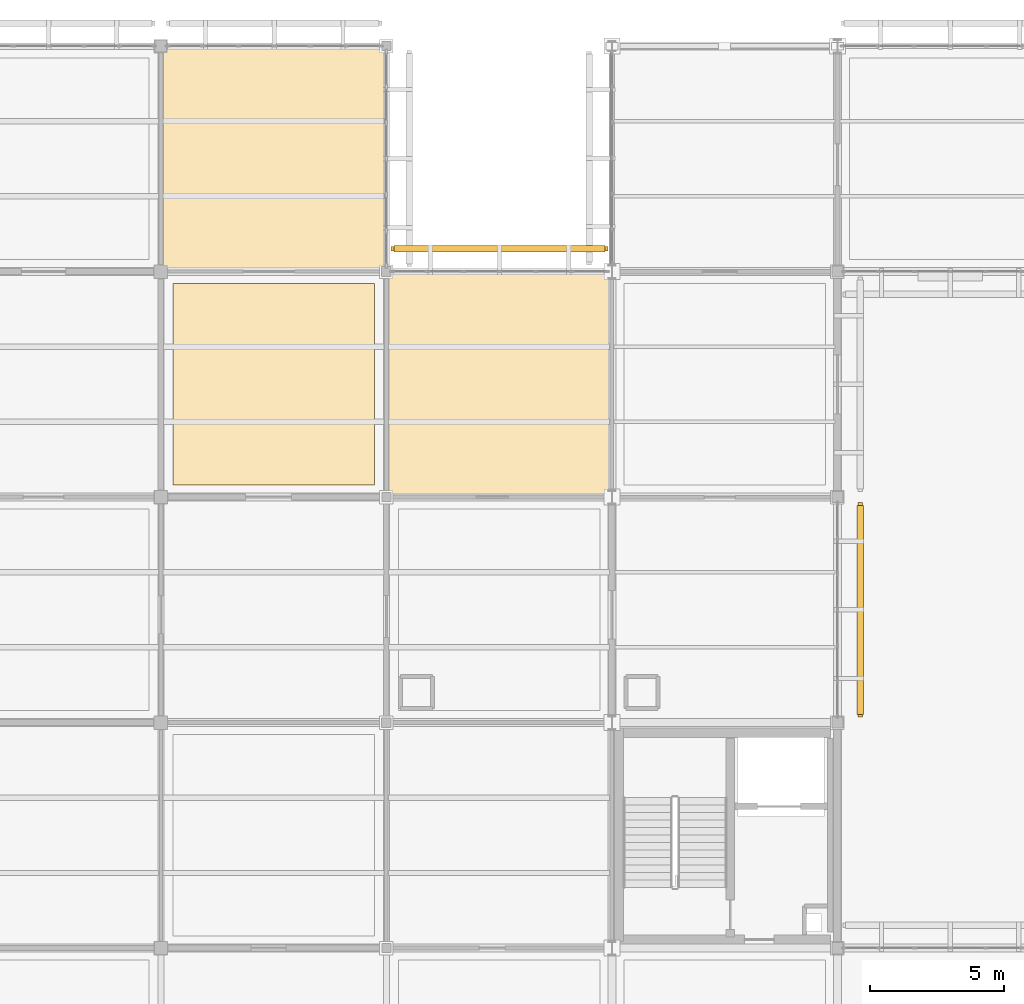
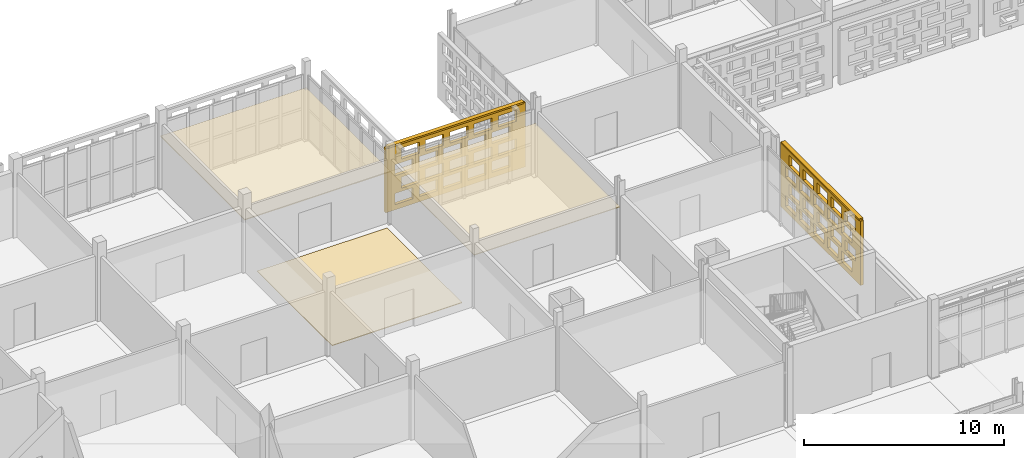
# One storey, part 166 of 203: 5 coverings, 2 shading devices, 40 openings.
"""IFC4 building model written with IfcOpenShell, lengths in metres."""

from ifc_helpers import new_model, si_unit, direction, frame, frame_2d, origin, origin_2d, place, context, subcontext, project, spatial, rectangle, extrude, material, layer, layer_set, type_object, element, save


model = new_model("IFC4")

# Units and contexts
model_context = context("Model", 3, precision=1e-05, world=origin(), true_north=direction((0.0, 1.0)))
body_context = subcontext(model_context, "Body", "Model", "MODEL_VIEW")
ifc_project = project(units=[si_unit("LENGTHUNIT", "METRE"), si_unit("AREAUNIT", "SQUARE_METRE"), si_unit("VOLUMEUNIT", "CUBIC_METRE"), si_unit("PLANEANGLEUNIT", "RADIAN"), si_unit("MASSUNIT", "GRAM", prefix="KILO")], contexts=[model_context])

# Site, building, storey
site_placement = place(None, origin())
site = spatial("IfcSite", under=ifc_project, at=site_placement, CompositionType="ELEMENT")
building_placement = place(site_placement, origin())
building = spatial("IfcBuilding", under=site, at=building_placement, Name="Varnapada Polytechnic", CompositionType="ELEMENT")
storey_placement = place(building_placement, frame((0.0, 0.0, 4.800048828125)))
storey = spatial("IfcBuildingStorey", under=building, at=storey_placement, Name="L01", CompositionType="ELEMENT", Elevation=4.800048828125)

# Coverings
ifc_material_1 = material(Name="Acoustic Rubber Seminar Flooring")
ifc_layer_1 = layer(ifc_material_1, 0.0400390625)
ifc_layer_set_1 = layer_set([ifc_layer_1], Name="Acoustic Rubber Seminar Flooring")
covering_type_1 = type_object("IfcCoveringType", Name="Floor Finish FLR-06", PredefinedType="FLOORING", material=ifc_layer_set_1)
covering_1_placement = place(storey_placement, frame((37.800048828125, 113.39990234375, 0.0), z_axis=(0.0, 0.0, 1.0), x_axis=(1.0, 0.0, 0.0)))
element("IfcCovering", 1, at=covering_1_placement, inside=storey, type_object=covering_type_1, Name="L01 floor finish panel (5,14)", PredefinedType="FLOORING", context=body_context, shape_type="SweptSolid", body=[
    extrude(rectangle(XDim=7.5, YDim=7.5, at=origin_2d()), origin(), (0.0, 0.0, 1.0), 0.0400390625),
])
ifc_material_2 = material(Name="Mineral Fibre Acoustic Ceiling Tile")
ifc_layer_2 = layer(ifc_material_2, 0.0400390625)
ifc_layer_set_2 = layer_set([ifc_layer_2], Name="Mineral Fibre Acoustic Ceiling Tile")
covering_type_2 = type_object("IfcCoveringType", Name="Suspended Ceiling CLG-01", PredefinedType="CEILING", material=ifc_layer_set_2)
covering_2_placement = place(storey_placement, frame((46.199951171875, 113.39990234375, 3.030029296875), z_axis=(0.0, 0.0, 1.0), x_axis=(1.0, 0.0, 0.0)))
element("IfcCovering", 2, at=covering_2_placement, inside=storey, type_object=covering_type_2, Name="L01 suspended acoustic ceiling (6,14)", PredefinedType="CEILING", context=body_context, shape_type="SweptSolid", body=[
    extrude(rectangle(XDim=8.419921875, YDim=8.419921875, at=origin_2d()), origin(), (0.0, 0.0, 1.0), 0.0400390625),
])
ifc_material_3 = material(Name="Slatted Merbau Timber Acoustic Ceiling", Category="wood")
ifc_layer_3 = layer(ifc_material_3, 0.054931640625)
ifc_layer_set_3 = layer_set([ifc_layer_3], Name="Slatted Merbau Timber Acoustic Ceiling")
covering_type_3 = type_object("IfcCoveringType", Name="Suspended Ceiling CLG-05", PredefinedType="CEILING", material=ifc_layer_set_3)
covering_3_placement = place(storey_placement, frame((37.800048828125, 121.800048828125, 3.0224609375), z_axis=(0.0, 0.0, 1.0), x_axis=(1.0, 0.0, 0.0)))
element("IfcCovering", 3, at=covering_3_placement, inside=storey, type_object=covering_type_3, Name="L01 suspended acoustic ceiling (5,15)", PredefinedType="CEILING", context=body_context, shape_type="SweptSolid", body=[
    extrude(rectangle(XDim=8.419921875, YDim=8.419921875, at=origin_2d()), origin(), (0.0, 0.0, 1.0), 0.054931640625),
])

# Covering, openings
ifc_material_4 = material(Name="Earth-toned architectural terracotta screen block", Category="masonry")
ifc_layer_4 = layer(ifc_material_4, 0.1201171875)
ifc_layer_set_4 = layer_set([ifc_layer_4], Name="Earth-toned architectural terracotta screen block")
covering_type_4 = type_object("IfcCoveringType", Name="Terracotta Screen Cladding CLD-01", PredefinedType="CLADDING", material=ifc_layer_set_4)
covering_4_placement = place(storey_placement, frame((42.179931640625, 118.449951171875, 0.0), z_axis=(0.0, 0.0, 1.0), x_axis=(1.0, 0.0, 0.0)))
covering_4 = element("IfcCovering", 4, at=covering_4_placement, inside=storey, type_object=covering_type_4, Name="L01 perforated terracotta block screen (42)", PredefinedType="CLADDING", context=body_context, shape_type="SweptSolid", body=[
    extrude(rectangle(XDim=8.070068359375, YDim=0.179931640625, at=frame_2d((4.03515625, 0.0))), origin(), (0.0, 0.0, 1.0), 3.919921875),
])
opening_1_placement = place(covering_4_placement, frame((0.534912109375, 0.0, 0.313720703125)))
element("IfcOpeningElement", 5, at=opening_1_placement, cuts=covering_4, Name="Screen perforation TBS-L01-041.1", PredefinedType="OPENING", context=body_context, shape_type="SweptSolid", body=[
    extrude(rectangle(XDim=1.0400390625, YDim=0.679931640625, at=frame_2d((0.52001953125, 0.33984375))), frame((0.0, 0.099853515625, 0.0), z_axis=(0.0, -1.0, 0.0), x_axis=(1.0, 0.0, 0.0)), (0.0, 0.0, 1.0), 0.199951171875),
])
opening_2_placement = place(covering_4_placement, frame((1.93505859375, 0.0, 0.313720703125)))
element("IfcOpeningElement", 6, at=opening_2_placement, cuts=covering_4, Name="Screen perforation TBS-L01-041.2", PredefinedType="OPENING", context=body_context, shape_type="SweptSolid", body=[
    extrude(rectangle(XDim=1.0400390625, YDim=0.679931640625, at=frame_2d((0.52001953125, 0.33984375))), frame((0.0, 0.099853515625, 0.0), z_axis=(0.0, -1.0, 0.0), x_axis=(1.0, 0.0, 0.0)), (0.0, 0.0, 1.0), 0.199951171875),
])
opening_3_placement = place(covering_4_placement, frame((3.3349609375, 0.0, 0.313720703125)))
element("IfcOpeningElement", 7, at=opening_3_placement, cuts=covering_4, Name="Screen perforation TBS-L01-041.3", PredefinedType="OPENING", context=body_context, shape_type="SweptSolid", body=[
    extrude(rectangle(XDim=1.0400390625, YDim=0.679931640625, at=frame_2d((0.52001953125, 0.33984375))), frame((0.0, 0.099853515625, 0.0), z_axis=(0.0, -1.0, 0.0), x_axis=(1.0, 0.0, 0.0)), (0.0, 0.0, 1.0), 0.199951171875),
])
opening_4_placement = place(covering_4_placement, frame((4.735107421875, 0.0, 0.313720703125)))
element("IfcOpeningElement", 8, at=opening_4_placement, cuts=covering_4, Name="Screen perforation TBS-L01-041.4", PredefinedType="OPENING", context=body_context, shape_type="SweptSolid", body=[
    extrude(rectangle(XDim=1.0400390625, YDim=0.679931640625, at=frame_2d((0.52001953125, 0.33984375))), frame((0.0, 0.099853515625, 0.0), z_axis=(0.0, -1.0, 0.0), x_axis=(1.0, 0.0, 0.0)), (0.0, 0.0, 1.0), 0.199951171875),
])
opening_5_placement = place(covering_4_placement, frame((6.135009765625, 0.0, 0.313720703125)))
element("IfcOpeningElement", 9, at=opening_5_placement, cuts=covering_4, Name="Screen perforation TBS-L01-041.5", PredefinedType="OPENING", context=body_context, shape_type="SweptSolid", body=[
    extrude(rectangle(XDim=1.0400390625, YDim=0.679931640625, at=frame_2d((0.52001953125, 0.33984375))), frame((0.0, 0.099853515625, 0.0), z_axis=(0.0, -1.0, 0.0), x_axis=(1.0, 0.0, 0.0)), (0.0, 0.0, 1.0), 0.199951171875),
])
opening_6_placement = place(covering_4_placement, frame((0.89501953125, 0.0, 1.195556640625)))
element("IfcOpeningElement", 10, at=opening_6_placement, cuts=covering_4, Name="Screen perforation TBS-L01-041.6", PredefinedType="OPENING", context=body_context, shape_type="SweptSolid", body=[
    extrude(rectangle(XDim=1.0400390625, YDim=0.679931640625, at=frame_2d((0.52001953125, 0.33984375))), frame((0.0, 0.099853515625, 0.0), z_axis=(0.0, -1.0, 0.0), x_axis=(1.0, 0.0, 0.0)), (0.0, 0.0, 1.0), 0.199951171875),
])
opening_7_placement = place(covering_4_placement, frame((2.294921875, 0.0, 1.195556640625)))
element("IfcOpeningElement", 11, at=opening_7_placement, cuts=covering_4, Name="Screen perforation TBS-L01-041.7", PredefinedType="OPENING", context=body_context, shape_type="SweptSolid", body=[
    extrude(rectangle(XDim=1.0400390625, YDim=0.679931640625, at=frame_2d((0.52001953125, 0.33984375))), frame((0.0, 0.099853515625, 0.0), z_axis=(0.0, -1.0, 0.0), x_axis=(1.0, 0.0, 0.0)), (0.0, 0.0, 1.0), 0.199951171875),
])
opening_8_placement = place(covering_4_placement, frame((3.695068359375, 0.0, 1.195556640625)))
element("IfcOpeningElement", 12, at=opening_8_placement, cuts=covering_4, Name="Screen perforation TBS-L01-041.8", PredefinedType="OPENING", context=body_context, shape_type="SweptSolid", body=[
    extrude(rectangle(XDim=1.0400390625, YDim=0.679931640625, at=frame_2d((0.52001953125, 0.33984375))), frame((0.0, 0.099853515625, 0.0), z_axis=(0.0, -1.0, 0.0), x_axis=(1.0, 0.0, 0.0)), (0.0, 0.0, 1.0), 0.199951171875),
])
opening_9_placement = place(covering_4_placement, frame((5.094970703125, 0.0, 1.195556640625)))
element("IfcOpeningElement", 13, at=opening_9_placement, cuts=covering_4, Name="Screen perforation TBS-L01-041.9", PredefinedType="OPENING", context=body_context, shape_type="SweptSolid", body=[
    extrude(rectangle(XDim=1.0400390625, YDim=0.679931640625, at=frame_2d((0.52001953125, 0.33984375))), frame((0.0, 0.099853515625, 0.0), z_axis=(0.0, -1.0, 0.0), x_axis=(1.0, 0.0, 0.0)), (0.0, 0.0, 1.0), 0.199951171875),
])
opening_10_placement = place(covering_4_placement, frame((6.4951171875, 0.0, 1.195556640625)))
element("IfcOpeningElement", 14, at=opening_10_placement, cuts=covering_4, Name="Screen perforation TBS-L01-041.10", PredefinedType="OPENING", context=body_context, shape_type="SweptSolid", body=[
    extrude(rectangle(XDim=1.0400390625, YDim=0.679931640625, at=frame_2d((0.52001953125, 0.33984375))), frame((0.0, 0.099853515625, 0.0), z_axis=(0.0, -1.0, 0.0), x_axis=(1.0, 0.0, 0.0)), (0.0, 0.0, 1.0), 0.199951171875),
])
opening_11_placement = place(covering_4_placement, frame((0.534912109375, 0.0, 2.07763671875)))
element("IfcOpeningElement", 15, at=opening_11_placement, cuts=covering_4, Name="Screen perforation TBS-L01-041.11", PredefinedType="OPENING", context=body_context, shape_type="SweptSolid", body=[
    extrude(rectangle(XDim=1.0400390625, YDim=0.679931640625, at=frame_2d((0.52001953125, 0.33984375))), frame((0.0, 0.099853515625, 0.0), z_axis=(0.0, -1.0, 0.0), x_axis=(1.0, 0.0, 0.0)), (0.0, 0.0, 1.0), 0.199951171875),
])
opening_12_placement = place(covering_4_placement, frame((1.93505859375, 0.0, 2.07763671875)))
element("IfcOpeningElement", 16, at=opening_12_placement, cuts=covering_4, Name="Screen perforation TBS-L01-041.12", PredefinedType="OPENING", context=body_context, shape_type="SweptSolid", body=[
    extrude(rectangle(XDim=1.0400390625, YDim=0.679931640625, at=frame_2d((0.52001953125, 0.33984375))), frame((0.0, 0.099853515625, 0.0), z_axis=(0.0, -1.0, 0.0), x_axis=(1.0, 0.0, 0.0)), (0.0, 0.0, 1.0), 0.199951171875),
])
opening_13_placement = place(covering_4_placement, frame((3.3349609375, 0.0, 2.07763671875)))
element("IfcOpeningElement", 17, at=opening_13_placement, cuts=covering_4, Name="Screen perforation TBS-L01-041.13", PredefinedType="OPENING", context=body_context, shape_type="SweptSolid", body=[
    extrude(rectangle(XDim=1.0400390625, YDim=0.679931640625, at=frame_2d((0.52001953125, 0.33984375))), frame((0.0, 0.099853515625, 0.0), z_axis=(0.0, -1.0, 0.0), x_axis=(1.0, 0.0, 0.0)), (0.0, 0.0, 1.0), 0.199951171875),
])
opening_14_placement = place(covering_4_placement, frame((4.735107421875, 0.0, 2.07763671875)))
element("IfcOpeningElement", 18, at=opening_14_placement, cuts=covering_4, Name="Screen perforation TBS-L01-041.14", PredefinedType="OPENING", context=body_context, shape_type="SweptSolid", body=[
    extrude(rectangle(XDim=1.0400390625, YDim=0.679931640625, at=frame_2d((0.52001953125, 0.33984375))), frame((0.0, 0.099853515625, 0.0), z_axis=(0.0, -1.0, 0.0), x_axis=(1.0, 0.0, 0.0)), (0.0, 0.0, 1.0), 0.199951171875),
])
opening_15_placement = place(covering_4_placement, frame((6.135009765625, 0.0, 2.07763671875)))
element("IfcOpeningElement", 19, at=opening_15_placement, cuts=covering_4, Name="Screen perforation TBS-L01-041.15", PredefinedType="OPENING", context=body_context, shape_type="SweptSolid", body=[
    extrude(rectangle(XDim=1.0400390625, YDim=0.679931640625, at=frame_2d((0.52001953125, 0.33984375))), frame((0.0, 0.099853515625, 0.0), z_axis=(0.0, -1.0, 0.0), x_axis=(1.0, 0.0, 0.0)), (0.0, 0.0, 1.0), 0.199951171875),
])
opening_16_placement = place(covering_4_placement, frame((0.89501953125, 0.0, 2.959716796875)))
element("IfcOpeningElement", 20, at=opening_16_placement, cuts=covering_4, Name="Screen perforation TBS-L01-041.16", PredefinedType="OPENING", context=body_context, shape_type="SweptSolid", body=[
    extrude(rectangle(XDim=1.0400390625, YDim=0.679931640625, at=frame_2d((0.52001953125, 0.33984375))), frame((0.0, 0.099853515625, 0.0), z_axis=(0.0, -1.0, 0.0), x_axis=(1.0, 0.0, 0.0)), (0.0, 0.0, 1.0), 0.199951171875),
])
opening_17_placement = place(covering_4_placement, frame((2.294921875, 0.0, 2.959716796875)))
element("IfcOpeningElement", 21, at=opening_17_placement, cuts=covering_4, Name="Screen perforation TBS-L01-041.17", PredefinedType="OPENING", context=body_context, shape_type="SweptSolid", body=[
    extrude(rectangle(XDim=1.0400390625, YDim=0.679931640625, at=frame_2d((0.52001953125, 0.33984375))), frame((0.0, 0.099853515625, 0.0), z_axis=(0.0, -1.0, 0.0), x_axis=(1.0, 0.0, 0.0)), (0.0, 0.0, 1.0), 0.199951171875),
])
opening_18_placement = place(covering_4_placement, frame((3.695068359375, 0.0, 2.959716796875)))
element("IfcOpeningElement", 22, at=opening_18_placement, cuts=covering_4, Name="Screen perforation TBS-L01-041.18", PredefinedType="OPENING", context=body_context, shape_type="SweptSolid", body=[
    extrude(rectangle(XDim=1.0400390625, YDim=0.679931640625, at=frame_2d((0.52001953125, 0.33984375))), frame((0.0, 0.099853515625, 0.0), z_axis=(0.0, -1.0, 0.0), x_axis=(1.0, 0.0, 0.0)), (0.0, 0.0, 1.0), 0.199951171875),
])
opening_19_placement = place(covering_4_placement, frame((5.094970703125, 0.0, 2.959716796875)))
element("IfcOpeningElement", 23, at=opening_19_placement, cuts=covering_4, Name="Screen perforation TBS-L01-041.19", PredefinedType="OPENING", context=body_context, shape_type="SweptSolid", body=[
    extrude(rectangle(XDim=1.0400390625, YDim=0.679931640625, at=frame_2d((0.52001953125, 0.33984375))), frame((0.0, 0.099853515625, 0.0), z_axis=(0.0, -1.0, 0.0), x_axis=(1.0, 0.0, 0.0)), (0.0, 0.0, 1.0), 0.199951171875),
])
opening_20_placement = place(covering_4_placement, frame((6.4951171875, 0.0, 2.959716796875)))
element("IfcOpeningElement", 24, at=opening_20_placement, cuts=covering_4, Name="Screen perforation TBS-L01-041.20", PredefinedType="OPENING", context=body_context, shape_type="SweptSolid", body=[
    extrude(rectangle(XDim=1.0400390625, YDim=0.679931640625, at=frame_2d((0.52001953125, 0.33984375))), frame((0.0, 0.099853515625, 0.0), z_axis=(0.0, -1.0, 0.0), x_axis=(1.0, 0.0, 0.0)), (0.0, 0.0, 1.0), 0.199951171875),
])

covering_5_placement = place(storey_placement, frame((59.64990234375, 108.989990234375, 0.0), z_axis=(0.0, 0.0, 1.0), x_axis=(0.0, -1.0, 0.0)))
covering_5 = element("IfcCovering", 25, at=covering_5_placement, inside=storey, type_object=covering_type_4, Name="L01 perforated terracotta block screen (50)", PredefinedType="CLADDING", context=body_context, shape_type="SweptSolid", body=[
    extrude(rectangle(XDim=7.97998046875, YDim=0.179931640625, at=frame_2d((3.989990234375, 0.0))), origin(), (0.0, 0.0, 1.0), 3.919921875),
])
opening_21_placement = place(covering_5_placement, frame((0.489990234375, 0.0, 0.313720703125)))
element("IfcOpeningElement", 26, at=opening_21_placement, cuts=covering_5, Name="Screen perforation TBS-L01-049.1", PredefinedType="OPENING", context=body_context, shape_type="SweptSolid", body=[
    extrude(rectangle(XDim=1.0400390625, YDim=0.679931640625, at=frame_2d((0.52001953125, 0.33984375))), frame((0.0, 0.099853515625, 0.0), z_axis=(0.0, -1.0, 0.0), x_axis=(1.0, 0.0, 0.0)), (0.0, 0.0, 1.0), 0.199951171875),
])
opening_22_placement = place(covering_5_placement, frame((1.889892578125, 0.0, 0.313720703125)))
element("IfcOpeningElement", 27, at=opening_22_placement, cuts=covering_5, Name="Screen perforation TBS-L01-049.2", PredefinedType="OPENING", context=body_context, shape_type="SweptSolid", body=[
    extrude(rectangle(XDim=1.0400390625, YDim=0.679931640625, at=frame_2d((0.52001953125, 0.33984375))), frame((0.0, 0.099853515625, 0.0), z_axis=(0.0, -1.0, 0.0), x_axis=(1.0, 0.0, 0.0)), (0.0, 0.0, 1.0), 0.199951171875),
])
opening_23_placement = place(covering_5_placement, frame((3.2900390625, 0.0, 0.313720703125)))
element("IfcOpeningElement", 28, at=opening_23_placement, cuts=covering_5, Name="Screen perforation TBS-L01-049.3", PredefinedType="OPENING", context=body_context, shape_type="SweptSolid", body=[
    extrude(rectangle(XDim=1.0400390625, YDim=0.679931640625, at=frame_2d((0.52001953125, 0.33984375))), frame((0.0, 0.099853515625, 0.0), z_axis=(0.0, -1.0, 0.0), x_axis=(1.0, 0.0, 0.0)), (0.0, 0.0, 1.0), 0.199951171875),
])
opening_24_placement = place(covering_5_placement, frame((4.68994140625, 0.0, 0.313720703125)))
element("IfcOpeningElement", 29, at=opening_24_placement, cuts=covering_5, Name="Screen perforation TBS-L01-049.4", PredefinedType="OPENING", context=body_context, shape_type="SweptSolid", body=[
    extrude(rectangle(XDim=1.0400390625, YDim=0.679931640625, at=frame_2d((0.52001953125, 0.33984375))), frame((0.0, 0.099853515625, 0.0), z_axis=(0.0, -1.0, 0.0), x_axis=(1.0, 0.0, 0.0)), (0.0, 0.0, 1.0), 0.199951171875),
])
opening_25_placement = place(covering_5_placement, frame((6.090087890625, 0.0, 0.313720703125)))
element("IfcOpeningElement", 30, at=opening_25_placement, cuts=covering_5, Name="Screen perforation TBS-L01-049.5", PredefinedType="OPENING", context=body_context, shape_type="SweptSolid", body=[
    extrude(rectangle(XDim=1.0400390625, YDim=0.679931640625, at=frame_2d((0.52001953125, 0.33984375))), frame((0.0, 0.099853515625, 0.0), z_axis=(0.0, -1.0, 0.0), x_axis=(1.0, 0.0, 0.0)), (0.0, 0.0, 1.0), 0.199951171875),
])
opening_26_placement = place(covering_5_placement, frame((0.85009765625, 0.0, 1.195556640625)))
element("IfcOpeningElement", 31, at=opening_26_placement, cuts=covering_5, Name="Screen perforation TBS-L01-049.6", PredefinedType="OPENING", context=body_context, shape_type="SweptSolid", body=[
    extrude(rectangle(XDim=1.0400390625, YDim=0.679931640625, at=frame_2d((0.52001953125, 0.33984375))), frame((0.0, 0.099853515625, 0.0), z_axis=(0.0, -1.0, 0.0), x_axis=(1.0, 0.0, 0.0)), (0.0, 0.0, 1.0), 0.199951171875),
])
opening_27_placement = place(covering_5_placement, frame((2.25, 0.0, 1.195556640625)))
element("IfcOpeningElement", 32, at=opening_27_placement, cuts=covering_5, Name="Screen perforation TBS-L01-049.7", PredefinedType="OPENING", context=body_context, shape_type="SweptSolid", body=[
    extrude(rectangle(XDim=1.0400390625, YDim=0.679931640625, at=frame_2d((0.52001953125, 0.33984375))), frame((0.0, 0.099853515625, 0.0), z_axis=(0.0, -1.0, 0.0), x_axis=(1.0, 0.0, 0.0)), (0.0, 0.0, 1.0), 0.199951171875),
])
opening_28_placement = place(covering_5_placement, frame((3.64990234375, 0.0, 1.195556640625)))
element("IfcOpeningElement", 33, at=opening_28_placement, cuts=covering_5, Name="Screen perforation TBS-L01-049.8", PredefinedType="OPENING", context=body_context, shape_type="SweptSolid", body=[
    extrude(rectangle(XDim=1.0400390625, YDim=0.679931640625, at=frame_2d((0.52001953125, 0.33984375))), frame((0.0, 0.099853515625, 0.0), z_axis=(0.0, -1.0, 0.0), x_axis=(1.0, 0.0, 0.0)), (0.0, 0.0, 1.0), 0.199951171875),
])
opening_29_placement = place(covering_5_placement, frame((5.050048828125, 0.0, 1.195556640625)))
element("IfcOpeningElement", 34, at=opening_29_placement, cuts=covering_5, Name="Screen perforation TBS-L01-049.9", PredefinedType="OPENING", context=body_context, shape_type="SweptSolid", body=[
    extrude(rectangle(XDim=1.0400390625, YDim=0.679931640625, at=frame_2d((0.52001953125, 0.33984375))), frame((0.0, 0.099853515625, 0.0), z_axis=(0.0, -1.0, 0.0), x_axis=(1.0, 0.0, 0.0)), (0.0, 0.0, 1.0), 0.199951171875),
])
opening_30_placement = place(covering_5_placement, frame((6.449951171875, 0.0, 1.195556640625)))
element("IfcOpeningElement", 35, at=opening_30_placement, cuts=covering_5, Name="Screen perforation TBS-L01-049.10", PredefinedType="OPENING", context=body_context, shape_type="SweptSolid", body=[
    extrude(rectangle(XDim=1.0400390625, YDim=0.679931640625, at=frame_2d((0.52001953125, 0.33984375))), frame((0.0, 0.099853515625, 0.0), z_axis=(0.0, -1.0, 0.0), x_axis=(1.0, 0.0, 0.0)), (0.0, 0.0, 1.0), 0.199951171875),
])
opening_31_placement = place(covering_5_placement, frame((0.489990234375, 0.0, 2.07763671875)))
element("IfcOpeningElement", 36, at=opening_31_placement, cuts=covering_5, Name="Screen perforation TBS-L01-049.11", PredefinedType="OPENING", context=body_context, shape_type="SweptSolid", body=[
    extrude(rectangle(XDim=1.0400390625, YDim=0.679931640625, at=frame_2d((0.52001953125, 0.33984375))), frame((0.0, 0.099853515625, 0.0), z_axis=(0.0, -1.0, 0.0), x_axis=(1.0, 0.0, 0.0)), (0.0, 0.0, 1.0), 0.199951171875),
])
opening_32_placement = place(covering_5_placement, frame((1.889892578125, 0.0, 2.07763671875)))
element("IfcOpeningElement", 37, at=opening_32_placement, cuts=covering_5, Name="Screen perforation TBS-L01-049.12", PredefinedType="OPENING", context=body_context, shape_type="SweptSolid", body=[
    extrude(rectangle(XDim=1.0400390625, YDim=0.679931640625, at=frame_2d((0.52001953125, 0.33984375))), frame((0.0, 0.099853515625, 0.0), z_axis=(0.0, -1.0, 0.0), x_axis=(1.0, 0.0, 0.0)), (0.0, 0.0, 1.0), 0.199951171875),
])
opening_33_placement = place(covering_5_placement, frame((3.2900390625, 0.0, 2.07763671875)))
element("IfcOpeningElement", 38, at=opening_33_placement, cuts=covering_5, Name="Screen perforation TBS-L01-049.13", PredefinedType="OPENING", context=body_context, shape_type="SweptSolid", body=[
    extrude(rectangle(XDim=1.0400390625, YDim=0.679931640625, at=frame_2d((0.52001953125, 0.33984375))), frame((0.0, 0.099853515625, 0.0), z_axis=(0.0, -1.0, 0.0), x_axis=(1.0, 0.0, 0.0)), (0.0, 0.0, 1.0), 0.199951171875),
])
opening_34_placement = place(covering_5_placement, frame((4.68994140625, 0.0, 2.07763671875)))
element("IfcOpeningElement", 39, at=opening_34_placement, cuts=covering_5, Name="Screen perforation TBS-L01-049.14", PredefinedType="OPENING", context=body_context, shape_type="SweptSolid", body=[
    extrude(rectangle(XDim=1.0400390625, YDim=0.679931640625, at=frame_2d((0.52001953125, 0.33984375))), frame((0.0, 0.099853515625, 0.0), z_axis=(0.0, -1.0, 0.0), x_axis=(1.0, 0.0, 0.0)), (0.0, 0.0, 1.0), 0.199951171875),
])
opening_35_placement = place(covering_5_placement, frame((6.090087890625, 0.0, 2.07763671875)))
element("IfcOpeningElement", 40, at=opening_35_placement, cuts=covering_5, Name="Screen perforation TBS-L01-049.15", PredefinedType="OPENING", context=body_context, shape_type="SweptSolid", body=[
    extrude(rectangle(XDim=1.0400390625, YDim=0.679931640625, at=frame_2d((0.52001953125, 0.33984375))), frame((0.0, 0.099853515625, 0.0), z_axis=(0.0, -1.0, 0.0), x_axis=(1.0, 0.0, 0.0)), (0.0, 0.0, 1.0), 0.199951171875),
])
opening_36_placement = place(covering_5_placement, frame((0.85009765625, 0.0, 2.959716796875)))
element("IfcOpeningElement", 41, at=opening_36_placement, cuts=covering_5, Name="Screen perforation TBS-L01-049.16", PredefinedType="OPENING", context=body_context, shape_type="SweptSolid", body=[
    extrude(rectangle(XDim=1.0400390625, YDim=0.679931640625, at=frame_2d((0.52001953125, 0.33984375))), frame((0.0, 0.099853515625, 0.0), z_axis=(0.0, -1.0, 0.0), x_axis=(1.0, 0.0, 0.0)), (0.0, 0.0, 1.0), 0.199951171875),
])
opening_37_placement = place(covering_5_placement, frame((2.25, 0.0, 2.959716796875)))
element("IfcOpeningElement", 42, at=opening_37_placement, cuts=covering_5, Name="Screen perforation TBS-L01-049.17", PredefinedType="OPENING", context=body_context, shape_type="SweptSolid", body=[
    extrude(rectangle(XDim=1.0400390625, YDim=0.679931640625, at=frame_2d((0.52001953125, 0.33984375))), frame((0.0, 0.099853515625, 0.0), z_axis=(0.0, -1.0, 0.0), x_axis=(1.0, 0.0, 0.0)), (0.0, 0.0, 1.0), 0.199951171875),
])
opening_38_placement = place(covering_5_placement, frame((3.64990234375, 0.0, 2.959716796875)))
element("IfcOpeningElement", 43, at=opening_38_placement, cuts=covering_5, Name="Screen perforation TBS-L01-049.18", PredefinedType="OPENING", context=body_context, shape_type="SweptSolid", body=[
    extrude(rectangle(XDim=1.0400390625, YDim=0.679931640625, at=frame_2d((0.52001953125, 0.33984375))), frame((0.0, 0.099853515625, 0.0), z_axis=(0.0, -1.0, 0.0), x_axis=(1.0, 0.0, 0.0)), (0.0, 0.0, 1.0), 0.199951171875),
])
opening_39_placement = place(covering_5_placement, frame((5.050048828125, 0.0, 2.959716796875)))
element("IfcOpeningElement", 44, at=opening_39_placement, cuts=covering_5, Name="Screen perforation TBS-L01-049.19", PredefinedType="OPENING", context=body_context, shape_type="SweptSolid", body=[
    extrude(rectangle(XDim=1.0400390625, YDim=0.679931640625, at=frame_2d((0.52001953125, 0.33984375))), frame((0.0, 0.099853515625, 0.0), z_axis=(0.0, -1.0, 0.0), x_axis=(1.0, 0.0, 0.0)), (0.0, 0.0, 1.0), 0.199951171875),
])
opening_40_placement = place(covering_5_placement, frame((6.449951171875, 0.0, 2.959716796875)))
element("IfcOpeningElement", 45, at=opening_40_placement, cuts=covering_5, Name="Screen perforation TBS-L01-049.20", PredefinedType="OPENING", context=body_context, shape_type="SweptSolid", body=[
    extrude(rectangle(XDim=1.0400390625, YDim=0.679931640625, at=frame_2d((0.52001953125, 0.33984375))), frame((0.0, 0.099853515625, 0.0), z_axis=(0.0, -1.0, 0.0), x_axis=(1.0, 0.0, 0.0)), (0.0, 0.0, 1.0), 0.199951171875),
])

# Shading devices
ifc_layer_5 = layer(ifc_material_4, 0.179931640625)
ifc_layer_set_5 = layer_set([ifc_layer_5], Name="Earth-toned architectural terracotta screen block")
shading_device_type = type_object("IfcShadingDeviceType", Name="Terracotta Screen SCR-02", PredefinedType="USERDEFINED", material=ifc_layer_set_5)
shading_device_1_placement = place(storey_placement, frame((46.215087890625, 118.449951171875, 3.909912109375), z_axis=(0.0, 0.0, 1.0), x_axis=(1.0, 0.0, 0.0)))
element("IfcShadingDevice", 46, at=shading_device_1_placement, inside=storey, type_object=shading_device_type, Name="L01 perforated terracotta screen hood 123", ObjectType="SCREEN", PredefinedType="USERDEFINED", context=body_context, shape_type="SweptSolid", body=[
    extrude(rectangle(XDim=7.8701171875, YDim=0.239990234375, at=origin_2d()), origin(), (0.0, 0.0, 1.0), 0.10009765625),
])
shading_device_2_placement = place(storey_placement, frame((59.64990234375, 105.0, 3.909912109375), z_axis=(0.0, 0.0, 1.0), x_axis=(0.0, -1.0, 0.0)))
element("IfcShadingDevice", 47, at=shading_device_2_placement, inside=storey, type_object=shading_device_type, Name="L01 perforated terracotta screen hood 130", ObjectType="SCREEN", PredefinedType="USERDEFINED", context=body_context, shape_type="SweptSolid", body=[
    extrude(rectangle(XDim=7.780029296875, YDim=0.239990234375, at=origin_2d()), origin(), (0.0, 0.0, 1.0), 0.10009765625),
])

save(model, "model.ifc")
